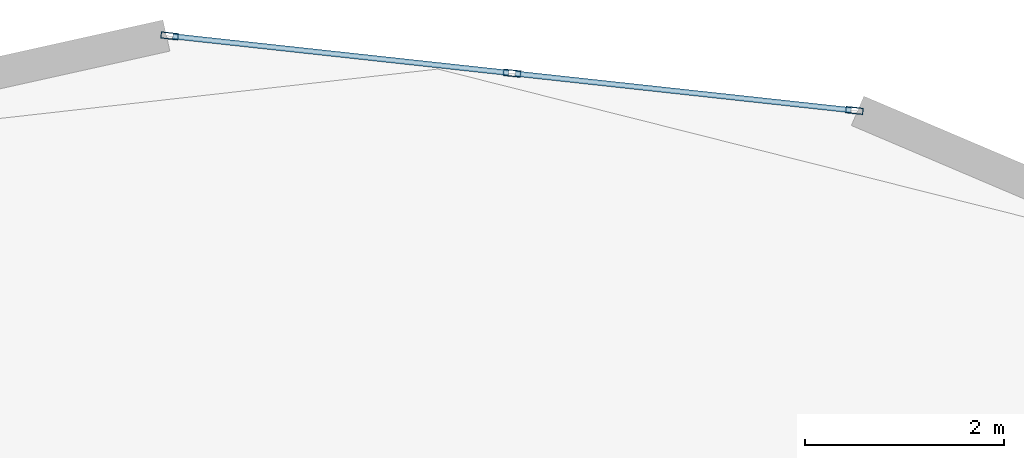
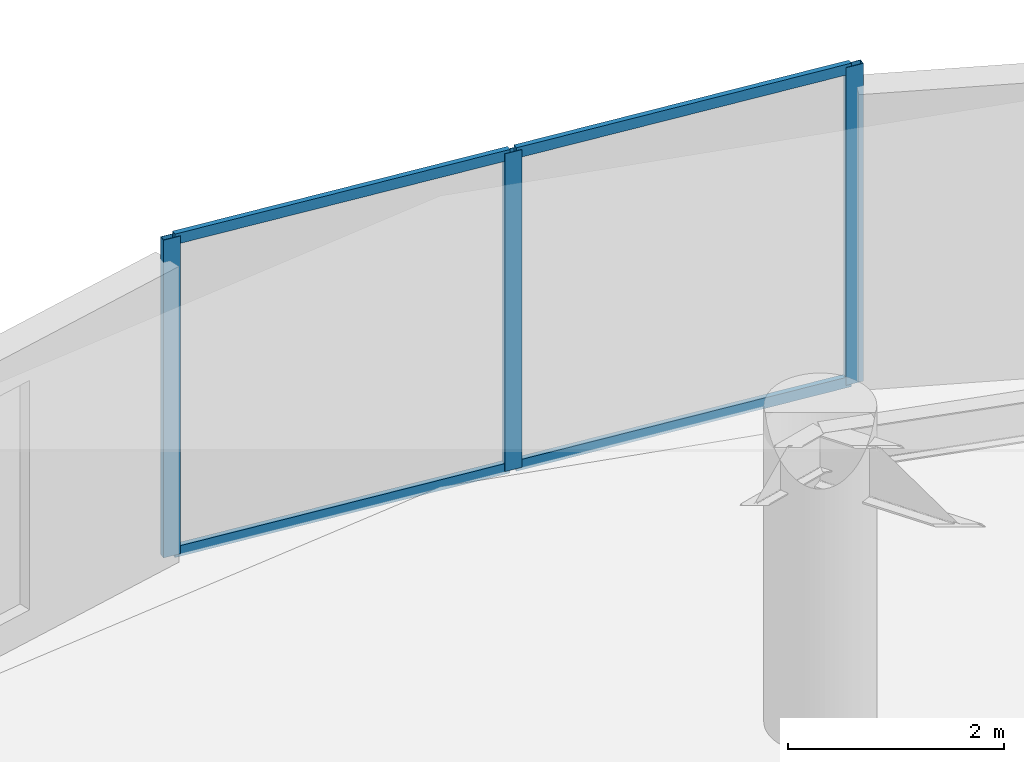
# One storey, part 15 of 22: 7 members, 1 element without a shape of its own.
"""IFC4 building model written with IfcOpenShell, lengths in metres."""

from ifc_helpers import new_model, si_unit, direction, frame, origin, origin_2d, place, context, subcontext, project, spatial, hollow_rectangle, extrude, source, transform, mapped, material, layer, layer_set, material_profile, profile_set, type_object, element, aggregate, save


model = new_model("IFC4")

# Units and contexts
model_context = context("Model", 3, precision=1e-05, world=origin(), true_north=direction((0.0, 1.0)))
body_context = subcontext(model_context, "Body", "Model", "MODEL_VIEW")
ifc_project = project(units=[si_unit("LENGTHUNIT", "METRE"), si_unit("AREAUNIT", "SQUARE_METRE"), si_unit("VOLUMEUNIT", "CUBIC_METRE"), si_unit("PLANEANGLEUNIT", "RADIAN"), si_unit("MASSUNIT", "GRAM", prefix="KILO")], contexts=[model_context])

# Site, building, storey
site_placement = place(None, origin())
site = spatial("IfcSite", under=ifc_project, at=site_placement, CompositionType="ELEMENT")
building_placement = place(site_placement, origin())
building = spatial("IfcBuilding", under=site, at=building_placement, Name="Solvirekh Grand Hotel", CompositionType="ELEMENT")
storey_placement = place(building_placement, frame((0.0, 0.0, 149.39990234375)))
storey = spatial("IfcBuildingStorey", under=building, at=storey_placement, Name="L38", CompositionType="ELEMENT", Elevation=149.39990234375)

# Curtain wall, members
ifc_material = material(Name="Anodized Bronze Aluminium 6063-T6", Category="aluminium")
ifc_layer = layer(ifc_material, 0.175048828125)
ifc_layer_set = layer_set([ifc_layer], Name="Anodized Bronze Aluminium 6063-T6")
curtain_wall_type = type_object("IfcCurtainWallType", Name="CW_Sys3_MidZoneFlushBronzeCW", PredefinedType="NOTDEFINED", material=ifc_layer_set)
curtain_wall_placement = place(storey_placement, origin())
curtain_wall = element("IfcCurtainWall", 1, at=curtain_wall_placement, inside=storey, type_object=curtain_wall_type, Name="L38 unitised bronze-glass curtain wall CW-L38-C08", PredefinedType="NOTDEFINED")
ifc_material_profile_1 = material_profile(ifc_material, hollow_rectangle(XDim=0.06494140625, YDim=0.175048828125, WallThickness=0.0048828125, at=origin_2d()), Name="ALU RHS 175X65X5")
ifc_profile_set_1 = profile_set([ifc_material_profile_1], Name="Anodized Bronze Aluminium 6063-T6")
member_type_1 = type_object("IfcMemberType", Name="CWMullion_Sys3", PredefinedType="MULLION", material=ifc_profile_set_1)
shared_shape_1 = source(origin(), body_context, "Body", "SweptSolid", [
    extrude(hollow_rectangle(XDim=0.06494140625, YDim=0.175048828125, WallThickness=0.0048828125, at=origin_2d()), origin(), (0.0, 0.0, 1.0), 3.60009765625),
])
member_1_placement = place(storey_placement, frame((3.03076171875, 21.634521484375, 0.0), z_axis=(0.0, 0.0, 1.0), x_axis=(-0.10831125401, -0.994117031468, 0.0)))
member_1 = element("IfcMember", 2, at=member_1_placement, type_object=member_type_1, Name="U03 mullion 1", PredefinedType="MULLION", context=body_context, shape_type="MappedRepresentation", body=[
    mapped(shared_shape_1, transform((0.0, 0.0, 0.0), x_axis=(1.0, 0.0, 0.0), y_axis=(0.0, 1.0, 0.0), z_axis=(0.0, 0.0, 1.0), scale=1.0)),
])
member_2_placement = place(storey_placement, frame((-0.410888671875, 22.009521484375, 0.0), z_axis=(0.0, 0.0, 1.0), x_axis=(-0.10831125401, -0.994117031468, 0.0)))
member_2 = element("IfcMember", 3, at=member_2_placement, type_object=member_type_1, Name="U03 mullion 2", PredefinedType="MULLION", context=body_context, shape_type="MappedRepresentation", body=[
    mapped(shared_shape_1, transform((0.0, 0.0, 0.0), x_axis=(1.0, 0.0, 0.0), y_axis=(0.0, 1.0, 0.0), z_axis=(0.0, 0.0, 1.0), scale=1.0)),
])
member_3_placement = place(storey_placement, frame((-3.852783203125, 22.384521484375, 0.0), z_axis=(0.0, 0.0, 1.0), x_axis=(-0.10831125401, -0.994117031468, 0.0)))
member_3 = element("IfcMember", 4, at=member_3_placement, type_object=member_type_1, Name="U03 mullion 3", PredefinedType="MULLION", context=body_context, shape_type="MappedRepresentation", body=[
    mapped(shared_shape_1, transform((0.0, 0.0, 0.0), x_axis=(1.0, 0.0, 0.0), y_axis=(0.0, 1.0, 0.0), z_axis=(0.0, 0.0, 1.0), scale=1.0)),
])
ifc_material_profile_2 = material_profile(ifc_material, hollow_rectangle(XDim=0.054931640625, YDim=0.1201171875, WallThickness=0.00390625, at=origin_2d()), Name="ALU RHS 120X55X4")
ifc_profile_set_2 = profile_set([ifc_material_profile_2], Name="Anodized Bronze Aluminium 6063-T6")
member_type_2 = type_object("IfcMemberType", Name="CWTransom_Sys3", PredefinedType="USERDEFINED", material=ifc_profile_set_2)
shared_shape_2 = source(origin(), body_context, "Body", "SweptSolid", [
    extrude(hollow_rectangle(XDim=0.054931640625, YDim=0.1201171875, WallThickness=0.00390625, at=origin_2d()), origin(), (0.0, 0.0, 1.0), 3.39697265625),
])
member_4_placement = place(storey_placement, frame((2.998291015625, 21.637939453125, 0.027587890625), z_axis=(-0.99411724086, 0.108309332127, 0.0), x_axis=(-0.108309332127, -0.99411724086, 0.0)))
member_4 = element("IfcMember", 5, at=member_4_placement, type_object=member_type_2, Name="U03 transom 1.1", ObjectType="TRANSOM", PredefinedType="USERDEFINED", context=body_context, shape_type="MappedRepresentation", body=[
    mapped(shared_shape_2, transform((0.0, 0.0, 0.0), x_axis=(1.0, 0.0, 0.0), y_axis=(0.0, 1.0, 0.0), z_axis=(0.0, 0.0, 1.0), scale=1.0)),
])
member_5_placement = place(storey_placement, frame((2.998291015625, 21.637939453125, 3.572509765625), z_axis=(-0.99411724086, 0.108309332127, 0.0), x_axis=(-0.108309332127, -0.99411724086, 0.0)))
member_5 = element("IfcMember", 6, at=member_5_placement, type_object=member_type_2, Name="U03 transom 1.2", ObjectType="TRANSOM", PredefinedType="USERDEFINED", context=body_context, shape_type="MappedRepresentation", body=[
    mapped(shared_shape_2, transform((0.0, 0.0, 0.0), x_axis=(1.0, 0.0, 0.0), y_axis=(0.0, 1.0, 0.0), z_axis=(0.0, 0.0, 1.0), scale=1.0)),
])
member_6_placement = place(storey_placement, frame((-0.443359375, 22.012939453125, 0.027587890625), z_axis=(-0.99411724086, 0.108309332127, 0.0), x_axis=(-0.108309332127, -0.99411724086, 0.0)))
member_6 = element("IfcMember", 7, at=member_6_placement, type_object=member_type_2, Name="U03 transom 2.1", ObjectType="TRANSOM", PredefinedType="USERDEFINED", context=body_context, shape_type="MappedRepresentation", body=[
    mapped(shared_shape_2, transform((0.0, 0.0, 0.0), x_axis=(1.0, 0.0, 0.0), y_axis=(0.0, 1.0, 0.0), z_axis=(0.0, 0.0, 1.0), scale=1.0)),
])
member_7_placement = place(storey_placement, frame((-0.443359375, 22.012939453125, 3.572509765625), z_axis=(-0.99411724086, 0.108309332127, 0.0), x_axis=(-0.108309332127, -0.99411724086, 0.0)))
member_7 = element("IfcMember", 8, at=member_7_placement, type_object=member_type_2, Name="U03 transom 2.2", ObjectType="TRANSOM", PredefinedType="USERDEFINED", context=body_context, shape_type="MappedRepresentation", body=[
    mapped(shared_shape_2, transform((0.0, 0.0, 0.0), x_axis=(1.0, 0.0, 0.0), y_axis=(0.0, 1.0, 0.0), z_axis=(0.0, 0.0, 1.0), scale=1.0)),
])
aggregate(curtain_wall, [member_1, member_2, member_3, member_4, member_5, member_6, member_7])

save(model, "model.ifc")
